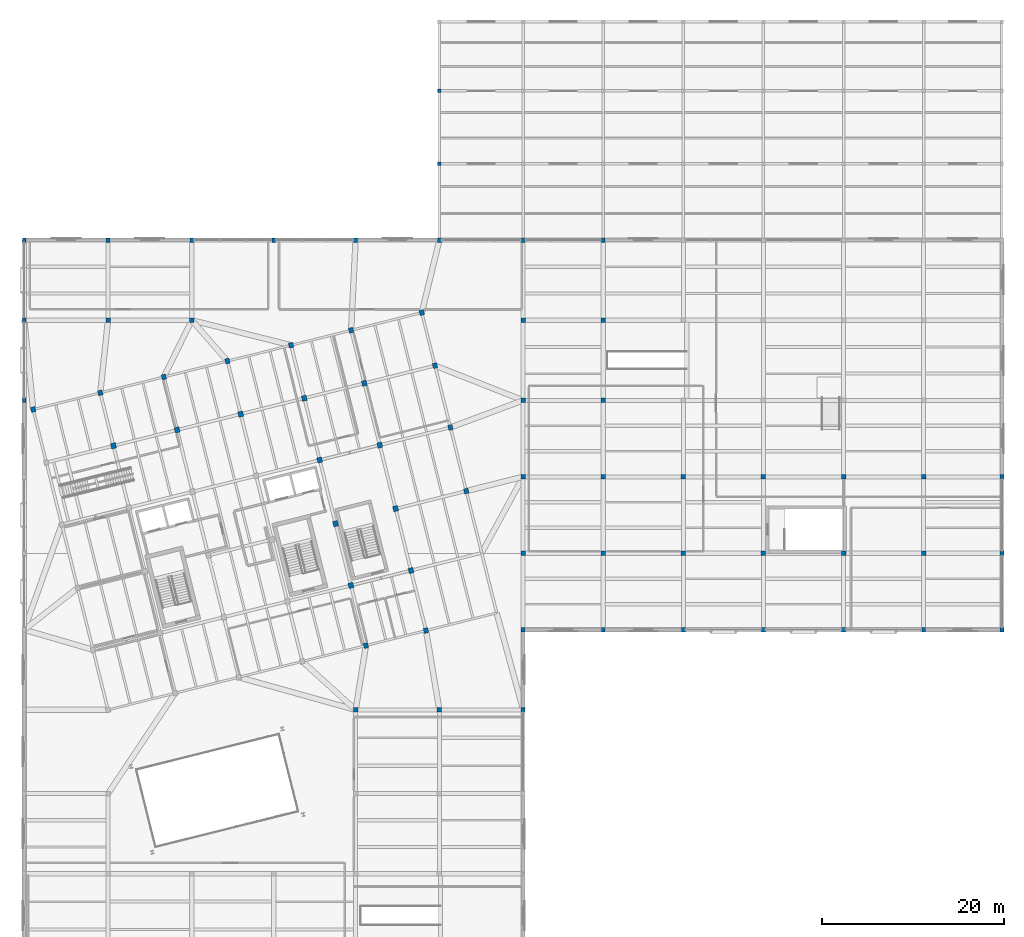
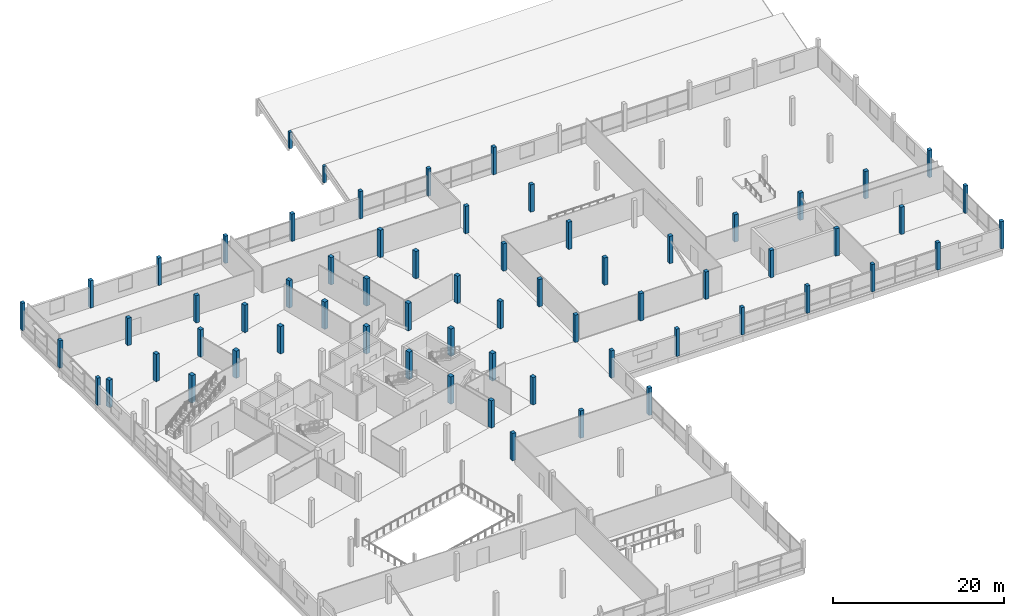
# One storey, part 4 of 62: 65 columns.
"""IFC4 building model written with IfcOpenShell, lengths in metres."""

from ifc_helpers import new_model, si_unit, direction, frame, origin, origin_2d, place, context, subcontext, project, spatial, rectangle, extrude, material, material_profile, profile_set, type_object, element, save


model = new_model("IFC4")

# Units and contexts
model_context = context("Model", 3, precision=1e-05, world=origin(), true_north=direction((0.0, 1.0)))
body_context = subcontext(model_context, "Body", "Model", "MODEL_VIEW")
ifc_project = project(units=[si_unit("LENGTHUNIT", "METRE"), si_unit("AREAUNIT", "SQUARE_METRE"), si_unit("VOLUMEUNIT", "CUBIC_METRE"), si_unit("PLANEANGLEUNIT", "RADIAN"), si_unit("MASSUNIT", "GRAM", prefix="KILO")], contexts=[model_context])

# Site, building, storey
site_placement = place(None, origin())
site = spatial("IfcSite", under=ifc_project, at=site_placement, CompositionType="ELEMENT")
building_placement = place(site_placement, origin())
building = spatial("IfcBuilding", under=site, at=building_placement, Name="Meriwether Solvik Hall", CompositionType="ELEMENT")
storey_placement = place(building_placement, frame((0.0, 0.0, 14.39990234375)))
storey = spatial("IfcBuildingStorey", under=building, at=storey_placement, Name="L03", CompositionType="ELEMENT", Elevation=14.39990234375)

# Columns
ifc_material_1 = material(Name="Glulam Douglas-Fir L2 GL28c", Category="wood")
ifc_material_profile_1 = material_profile(ifc_material_1, rectangle(XDim=0.364990234375, YDim=0.364990234375, at=origin_2d()), Name="GLC-365X365")
ifc_profile_set_1 = profile_set([ifc_material_profile_1], Name="Glulam Douglas-Fir L2 GL28c")
column_type_1 = type_object("IfcColumnType", Name="COL-GL-365X365", PredefinedType="COLUMN", material=ifc_profile_set_1)
column_1_placement = place(storey_placement, frame((105.0, 101.199951171875, 0.0), z_axis=(0.0, 0.0, 1.0), x_axis=(1.0, 0.0, 0.0)))
element("IfcColumn", 1, at=column_1_placement, inside=storey, type_object=column_type_1, Name="Roof Ridge Post 12/L (L03)", PredefinedType="COLUMN", context=body_context, shape_type="SweptSolid", body=[
    extrude(rectangle(XDim=0.364990234375, YDim=0.364990234375, at=origin_2d()), origin(), (0.0, 0.0, 1.0), 2.36083984375),
])
column_2_placement = place(storey_placement, frame((105.0, 109.199951171875, 0.0), z_axis=(0.0, 0.0, 1.0), x_axis=(1.0, 0.0, 0.0)))
element("IfcColumn", 2, at=column_2_placement, inside=storey, type_object=column_type_1, Name="Roof Ridge Post 12/M (L03)", PredefinedType="COLUMN", context=body_context, shape_type="SweptSolid", body=[
    extrude(rectangle(XDim=0.364990234375, YDim=0.364990234375, at=origin_2d()), origin(), (0.0, 0.0, 1.0), 2.360107421875),
])
ifc_material_2 = material(Name="Glulam Douglas-Fir L2 GL28c", Category="wood")
ifc_material_profile_2 = material_profile(ifc_material_2, rectangle(XDim=0.419921875, YDim=0.4951171875, at=origin_2d()), Name="GLC-420X495")
ifc_profile_set_2 = profile_set([ifc_material_profile_2], Name="Glulam Douglas-Fir L2 GL28c")
column_type_2 = type_object("IfcColumnType", Name="COL-GL-420X495", PredefinedType="COLUMN", material=ifc_profile_set_2)
for number, where, z_axis, x_axis, name in (
    (3, (59.39990234375, 75.199951171875, 0.0), (0.0, 0.0, 1.0), (1.0, 0.0, 0.0), "Podium Column 7/I (L03)"),
    (4, (59.39990234375, 84.0, 0.0), (0.0, 0.0, 1.0), (1.0, 0.0, 0.0), "Podium Column 7/J (L03)"),
    (5, (59.39990234375, 92.800048828125, 0.0), (0.0, 0.0, 1.0), (1.0, 0.0, 0.0), "Podium Column 7/K (L03)"),
    (6, (68.60009765625, 92.800048828125, 0.0), (0.0, 0.0, 1.0), (1.0, 0.0, 0.0), "Podium Column 8/K (L03)"),
    (7, (77.800048828125, 92.800048828125, 0.0), (0.0, 0.0, 1.0), (1.0, 0.0, 0.0), "Podium Column 9/K (L03)"),
    (8, (86.800048828125, 92.800048828125, 0.0), (0.0, 0.0, 1.0), (1.0, 0.0, 0.0), "Podium Column 10/K (L03)"),
    (9, (95.800048828125, 92.800048828125, 0.0), (0.0, 0.0, 1.0), (1.0, 0.0, 0.0), "Podium Column 11/K (L03)"),
    (10, (105.0, 92.800048828125, 0.0), (0.0, 0.0, 1.0), (1.0, 0.0, 0.0), "Podium Column 12/K (L03)"),
    (11, (114.199951171875, 41.199951171875, 0.0), (0.0, 0.0, 1.0), (1.0, 0.0, 0.0), "Podium Column 13/E (L03)"),
    (12, (114.199951171875, 50.0, 0.0), (0.0, 0.0, 1.0), (1.0, 0.0, 0.0), "Podium Column 13/F (L03)"),
    (13, (114.199951171875, 92.800048828125, 0.0), (0.0, 0.0, 1.0), (1.0, 0.0, 0.0), "Podium Column 13/K (L03)"),
    (14, (123.0, 50.0, 0.0), (0.0, 0.0, 1.0), (1.0, 0.0, 0.0), "Podium Column 14/F (L03)"),
    (15, (123.0, 92.800048828125, 0.0), (0.0, 0.0, 1.0), (1.0, 0.0, 0.0), "Podium Column 14/K (L03)"),
    (16, (131.800048828125, 50.0, 0.0), (0.0, 0.0, 1.0), (1.0, 0.0, 0.0), "Podium Column 15/F (L03)"),
    (17, (140.60009765625, 50.0, 0.0), (0.0, 0.0, 1.0), (1.0, 0.0, 0.0), "Podium Column 16/F (L03)"),
    (18, (149.39990234375, 50.0, 0.0), (0.0, 0.0, 1.0), (1.0, 0.0, 0.0), "Podium Column 17/F (L03)"),
    (19, (158.199951171875, 50.0, 0.0), (0.0, 0.0, 1.0), (1.0, 0.0, 0.0), "Podium Column 18/F (L03)"),
    (20, (166.800048828125, 50.0, 0.0), (0.0, 0.0, 1.0), (1.0, 0.0, 0.0), "Podium Column 19/F (L03)"),
    (21, (166.800048828125, 58.39990234375, 0.0), (0.0, 0.0, 1.0), (1.0, 0.0, 0.0), "Podium Column 19/G (L03)"),
    (22, (166.800048828125, 66.800048828125, 0.0), (0.0, 0.0, 1.0), (1.0, 0.0, 0.0), "Podium Column 19/H (L03)"),
):
    element("IfcColumn", number, at=place(storey_placement, frame(where, z_axis=z_axis, x_axis=x_axis)), inside=storey, type_object=column_type_2, Name=name, PredefinedType="COLUMN", context=body_context, shape_type="SweptSolid", body=[
        extrude(rectangle(XDim=0.419921875, YDim=0.4951171875, at=origin_2d()), origin(), (0.0, 0.0, 1.0), 3.900146484375),
    ])
ifc_material_3 = material(Name="Glulam Douglas-Fir L2 GL28c", Category="wood")
ifc_material_profile_3 = material_profile(ifc_material_3, rectangle(XDim=0.4951171875, YDim=0.4951171875, at=origin_2d()), Name="GLC-495X495")
ifc_profile_set_3 = profile_set([ifc_material_profile_3], Name="Glulam Douglas-Fir L2 GL28c")
column_type_3 = type_object("IfcColumnType", Name="COL-GL-495X495", PredefinedType="COLUMN", material=ifc_profile_set_3)
for number, where, z_axis, x_axis, name in (
    (23, (68.60009765625, 84.0, 0.0), (0.0, 0.0, 1.0), (1.0, 0.0, 0.0), "Podium Column 8/J (L03)"),
    (24, (77.800048828125, 84.0, 0.0), (0.0, 0.0, 1.0), (1.0, 0.0, 0.0), "Podium Column 9/J (L03)"),
    (25, (95.800048828125, 41.199951171875, 0.0), (0.0, 0.0, 1.0), (1.0, 0.0, 0.0), "Podium Column 11/E (L03)"),
    (26, (105.0, 41.199951171875, 0.0), (0.0, 0.0, 1.0), (1.0, 0.0, 0.0), "Podium Column 12/E (L03)"),
    (27, (114.199951171875, 58.39990234375, 0.0), (0.0, 0.0, 1.0), (1.0, 0.0, 0.0), "Podium Column 13/G (L03)"),
    (28, (114.199951171875, 66.800048828125, 0.0), (0.0, 0.0, 1.0), (1.0, 0.0, 0.0), "Podium Column 13/H (L03)"),
    (29, (114.199951171875, 75.199951171875, 0.0), (0.0, 0.0, 1.0), (1.0, 0.0, 0.0), "Podium Column 13/I (L03)"),
    (30, (114.199951171875, 84.0, 0.0), (0.0, 0.0, 1.0), (1.0, 0.0, 0.0), "Podium Column 13/J (L03)"),
    (31, (123.0, 58.39990234375, 0.0), (0.0, 0.0, 1.0), (1.0, 0.0, 0.0), "Podium Column 14/G (L03)"),
    (32, (123.0, 66.800048828125, 0.0), (0.0, 0.0, 1.0), (1.0, 0.0, 0.0), "Podium Column 14/H (L03)"),
    (33, (123.0, 75.199951171875, 0.0), (0.0, 0.0, 1.0), (1.0, 0.0, 0.0), "Podium Column 14/I (L03)"),
    (34, (123.0, 84.0, 0.0), (0.0, 0.0, 1.0), (1.0, 0.0, 0.0), "Podium Column 14/J (L03)"),
    (35, (131.800048828125, 58.39990234375, 0.0), (0.0, 0.0, 1.0), (1.0, 0.0, 0.0), "Podium Column 15/G (L03)"),
    (36, (131.800048828125, 66.800048828125, 0.0), (0.0, 0.0, 1.0), (1.0, 0.0, 0.0), "Podium Column 15/H (L03)"),
    (37, (140.60009765625, 58.39990234375, 0.0), (0.0, 0.0, 1.0), (1.0, 0.0, 0.0), "Podium Column 16/G (L03)"),
    (38, (140.60009765625, 66.800048828125, 0.0), (0.0, 0.0, 1.0), (1.0, 0.0, 0.0), "Podium Column 16/H (L03)"),
    (39, (149.39990234375, 58.39990234375, 0.0), (0.0, 0.0, 1.0), (1.0, 0.0, 0.0), "Podium Column 17/G (L03)"),
    (40, (149.39990234375, 66.800048828125, 0.0), (0.0, 0.0, 1.0), (1.0, 0.0, 0.0), "Podium Column 17/H (L03)"),
    (41, (158.199951171875, 58.39990234375, 0.0), (0.0, 0.0, 1.0), (1.0, 0.0, 0.0), "Podium Column 18/G (L03)"),
    (42, (158.199951171875, 66.800048828125, 0.0), (0.0, 0.0, 1.0), (1.0, 0.0, 0.0), "Podium Column 18/H (L03)"),
):
    element("IfcColumn", number, at=place(storey_placement, frame(where, z_axis=z_axis, x_axis=x_axis)), inside=storey, type_object=column_type_3, Name=name, PredefinedType="COLUMN", context=body_context, shape_type="SweptSolid", body=[
        extrude(rectangle(XDim=0.4951171875, YDim=0.4951171875, at=origin_2d()), origin(), (0.0, 0.0, 1.0), 3.900146484375),
    ])
ifc_material_4 = material(Name="Glulam Douglas-Fir L2 GL28c", Category="wood")
ifc_material_profile_4 = material_profile(ifc_material_4, rectangle(XDim=0.4951171875, YDim=0.570068359375, at=origin_2d()), Name="GLC-495X570")
ifc_profile_set_4 = profile_set([ifc_material_profile_4], Name="Glulam Douglas-Fir L2 GL28c")
column_type_4 = type_object("IfcColumnType", Name="COL-GL-495X570", PredefinedType="COLUMN", material=ifc_profile_set_4)
for number, where, z_axis, x_axis, name in (
    (43, (60.374755859375, 74.18994140625, 0.0), (0.0, 0.0, 1.0), (0.970295726276, 0.2419218956, 0.0), "Tower Column T1/TF (L03)"),
    (44, (67.7490234375, 76.028564453125, 0.0), (0.0, 0.0, 1.0), (0.970295726276, 0.2419218956, 0.0), "Tower Column T2/TF (L03)"),
    (45, (74.735107421875, 77.7705078125, 0.0), (0.0, 0.0, 1.0), (0.970295726276, 0.2419218956, 0.0), "Tower Column T3/TF (L03)"),
    (46, (81.72119140625, 79.512451171875, 0.0), (0.0, 0.0, 1.0), (0.970295726276, 0.2419218956, 0.0), "Tower Column T4/TF (L03)"),
    (47, (96.9326171875, 48.26416015625, 0.0), (0.0, 0.0, 1.0), (0.970295726276, 0.2419218956, 0.0), "Tower Column T5/TA (L03)"),
    (48, (88.707275390625, 81.254150390625, 0.0), (0.0, 0.0, 1.0), (0.970295726276, 0.2419218956, 0.0), "Tower Column T5/TF (L03)"),
    (49, (103.53076171875, 49.9091796875, 0.0), (0.0, 0.0, 1.0), (0.970295726276, 0.2419218956, 0.0), "Tower Column T6/TA (L03)"),
    (50, (95.305419921875, 82.899169921875, 0.0), (0.0, 0.0, 1.0), (0.970295726276, 0.2419218956, 0.0), "Tower Column T6/TF (L03)"),
    (51, (107.95458984375, 65.234619140625, 0.0), (0.0, 0.0, 1.0), (0.970295726276, 0.2419218956, 0.0), "Tower Column T7/TC (L03)"),
    (52, (106.212646484375, 72.220703125, 0.0), (0.0, 0.0, 1.0), (0.970295726276, 0.2419218956, 0.0), "Tower Column T7/TD (L03)"),
    (53, (104.519287109375, 79.012939453125, 0.0), (0.0, 0.0, 1.0), (0.970295726276, 0.2419218956, 0.0), "Tower Column T7/TE (L03)"),
    (54, (103.067626953125, 84.834716796875, 0.0), (0.0, 0.0, 1.0), (0.970295726276, 0.2419218956, 0.0), "Tower Column T7/TF (L03)"),
):
    element("IfcColumn", number, at=place(storey_placement, frame(where, z_axis=z_axis, x_axis=x_axis)), inside=storey, type_object=column_type_4, Name=name, PredefinedType="COLUMN", context=body_context, shape_type="SweptSolid", body=[
        extrude(rectangle(XDim=0.4951171875, YDim=0.570068359375, at=origin_2d()), origin(), (0.0, 0.0, 1.0), 3.900146484375),
    ])
ifc_material_5 = material(Name="Glulam Douglas-Fir L2 GL28c", Category="wood")
ifc_material_profile_5 = material_profile(ifc_material_5, rectangle(XDim=0.5400390625, YDim=0.60009765625, at=origin_2d()), Name="GLC-540X600")
ifc_profile_set_5 = profile_set([ifc_material_profile_5], Name="Glulam Douglas-Fir L2 GL28c")
column_type_5 = type_object("IfcColumnType", Name="COL-GL-540X600", PredefinedType="COLUMN", material=ifc_profile_set_5)
for number, where, z_axis, x_axis, name in (
    (55, (69.200439453125, 70.206787109375, 0.0), (0.0, 0.0, 1.0), (0.970295726276, 0.2419218956, 0.0), "Tower Column T2/TE (L03)"),
    (56, (76.1865234375, 71.94873046875, 0.0), (0.0, 0.0, 1.0), (0.970295726276, 0.2419218956, 0.0), "Tower Column T3/TE (L03)"),
    (57, (83.172607421875, 73.690673828125, 0.0), (0.0, 0.0, 1.0), (0.970295726276, 0.2419218956, 0.0), "Tower Column T4/TE (L03)"),
    (58, (95.28759765625, 54.862060546875, 0.0), (0.0, 0.0, 1.0), (0.970295726276, 0.2419218956, 0.0), "Tower Column T5/TB (L03)"),
    (59, (93.593994140625, 61.654296875, 0.0), (0.0, 0.0, 1.0), (0.970295726276, 0.2419218956, 0.0), "Tower Column T5/TC (L03)"),
    (60, (91.852294921875, 68.640380859375, 0.0), (0.0, 0.0, 1.0), (0.970295726276, 0.2419218956, 0.0), "Tower Column T5/TD (L03)"),
    (61, (90.158935546875, 75.432373046875, 0.0), (0.0, 0.0, 1.0), (0.970295726276, 0.2419218956, 0.0), "Tower Column T5/TE (L03)"),
    (62, (101.885498046875, 56.507080078125, 0.0), (0.0, 0.0, 1.0), (0.970295726276, 0.2419218956, 0.0), "Tower Column T6/TB (L03)"),
    (63, (100.192138671875, 63.29931640625, 0.0), (0.0, 0.0, 1.0), (0.970295726276, 0.2419218956, 0.0), "Tower Column T6/TC (L03)"),
    (64, (98.4501953125, 70.285400390625, 0.0), (0.0, 0.0, 1.0), (0.970295726276, 0.2419218956, 0.0), "Tower Column T6/TD (L03)"),
    (65, (96.7568359375, 77.077392578125, 0.0), (0.0, 0.0, 1.0), (0.970295726276, 0.2419218956, 0.0), "Tower Column T6/TE (L03)"),
):
    element("IfcColumn", number, at=place(storey_placement, frame(where, z_axis=z_axis, x_axis=x_axis)), inside=storey, type_object=column_type_5, Name=name, PredefinedType="COLUMN", context=body_context, shape_type="SweptSolid", body=[
        extrude(rectangle(XDim=0.5400390625, YDim=0.60009765625, at=origin_2d()), origin(), (0.0, 0.0, 1.0), 3.900146484375),
    ])

save(model, "model.ifc")
